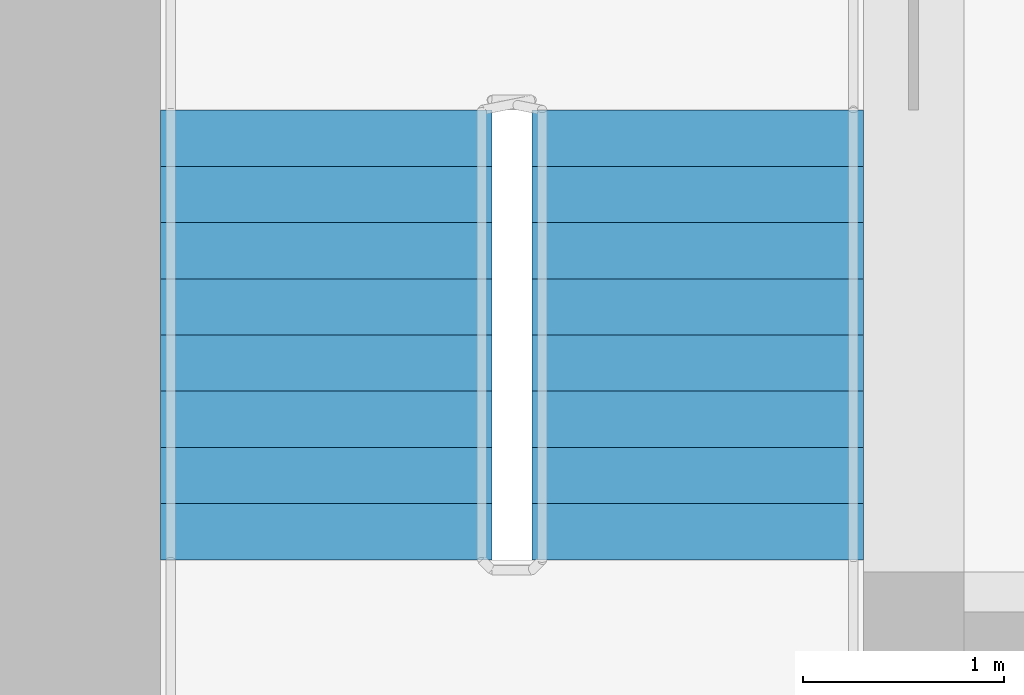
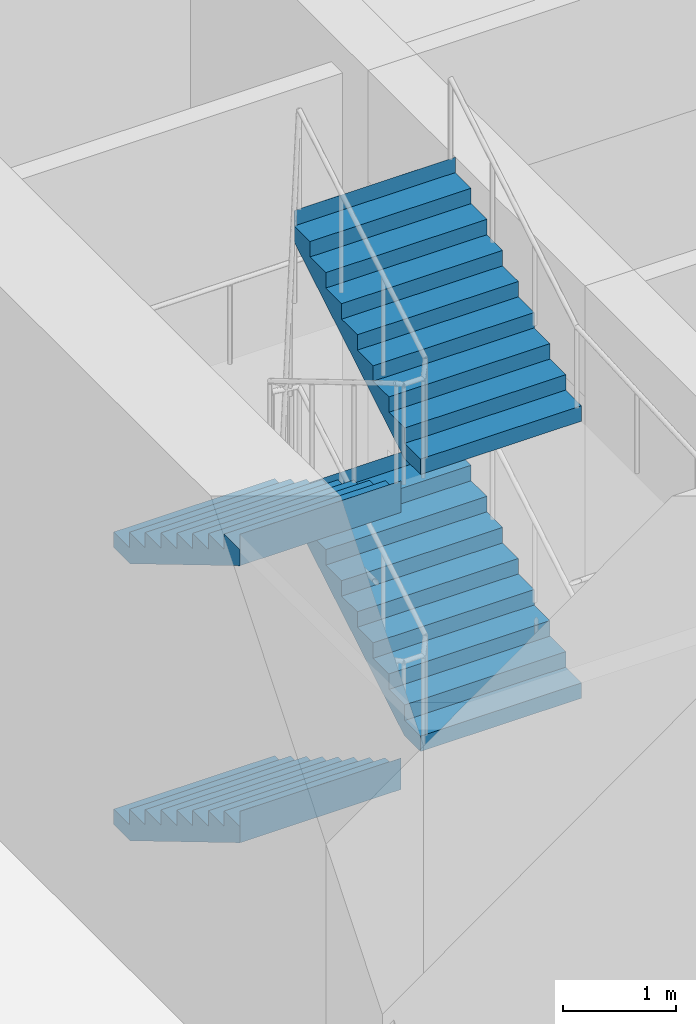
# One storey, part 19 of 45: 4 stair flights, 1 element without a shape of its own.
"""IFC4 building model written with IfcOpenShell, lengths in metres."""

from ifc_helpers import new_model, si_unit, direction, frame, origin, place, context, subcontext, project, spatial, polyline, outline, extrude, material, type_object, element, aggregate, save


model = new_model("IFC4")

# Units and contexts
model_context = context("Model", 3, precision=1e-05, world=origin(), true_north=direction((0.0, 1.0)))
body_context = subcontext(model_context, "Body", "Model", "MODEL_VIEW")
ifc_project = project(units=[si_unit("LENGTHUNIT", "METRE"), si_unit("AREAUNIT", "SQUARE_METRE"), si_unit("VOLUMEUNIT", "CUBIC_METRE"), si_unit("PLANEANGLEUNIT", "RADIAN"), si_unit("MASSUNIT", "GRAM", prefix="KILO")], contexts=[model_context])

# Site, building, storey
site_placement = place(None, origin())
site = spatial("IfcSite", under=ifc_project, at=site_placement, CompositionType="ELEMENT")
building_placement = place(site_placement, origin())
building = spatial("IfcBuilding", under=site, at=building_placement, Name="Tamorin Gate", CompositionType="ELEMENT")
storey_placement = place(building_placement, frame((0.0, 0.0, -6.0)))
storey = spatial("IfcBuildingStorey", under=building, at=storey_placement, Name="B1", CompositionType="ELEMENT", Elevation=-6.0)

# Stair, stair flights
ifc_material = material(Name="Concrete C40/50", Category="concrete")
stair_type = type_object("IfcStairType", Name="Exit stair", PredefinedType="HALF_TURN_STAIR", material=ifc_material)
stair_placement = place(storey_placement, origin())
stair = element("IfcStair", 1, at=stair_placement, inside=storey, type_object=stair_type, Name="B1 stair ST1", PredefinedType="HALF_TURN_STAIR")
stair_flight_type = type_object("IfcStairFlightType", Name="Exit stair flight", PredefinedType="STRAIGHT", material=ifc_material)
stair_flight_1_placement = place(storey_placement, frame((31.824951171875, 66.5, 0.0), z_axis=(0.0, 0.0, 1.0), x_axis=(0.0, -1.0, 0.0)))
stair_flight_1 = element("IfcStairFlight", 2, at=stair_flight_1_placement, type_object=stair_flight_type, Name="ST1 flight 1", NumberOfRisers=9, NumberOfTreads=8, PredefinedType="STRAIGHT", RiserHeight=0.166666667, TreadLength=0.28, context=body_context, shape_type="SweptSolid", body=[
    extrude(outline(polyline([(-0.00048828125, 0.0), (-0.00048828125, 0.001708984375), (-0.00048828125, 0.00341796875), (-0.00048828125, 0.0048828125), (-0.00048828125, 0.006591796875), (-0.00048828125, 0.00830078125), (-0.00048828125, 0.010009765625), (-0.00048828125, 0.011474609375), (-0.00048828125, 0.01318359375), (-0.00048828125, 0.014892578125), (-0.00048828125, 0.0166015625), (-0.00048828125, 0.01806640625), (-0.00048828125, 0.019775390625), (-0.00048828125, 0.021484375), (-0.00048828125, 0.023193359375), (-0.00048828125, 0.024658203125), (-0.00048828125, 0.0263671875), (-0.00048828125, 0.028076171875), (-0.00048828125, 0.02978515625), (-0.00048828125, 0.03125), (-0.00048828125, 0.032958984375), (-0.00048828125, 0.03466796875), (-0.00048828125, 0.036376953125), (-0.00048828125, 0.037841796875), (-0.00048828125, 0.03955078125), (-0.00048828125, 0.041259765625), (-0.00048828125, 0.04296875), (-0.00048828125, 0.04443359375), (-0.00048828125, 0.046142578125), (-0.00048828125, 0.0478515625), (-0.00048828125, 0.049560546875), (-0.00048828125, 0.05126953125), (-0.00048828125, 0.052734375), (-0.00048828125, 0.054443359375), (-0.00048828125, 0.05615234375), (-0.00048828125, 0.057861328125), (-0.00048828125, 0.059326171875), (-0.00048828125, 0.06103515625), (-0.00048828125, 0.062744140625), (-0.00048828125, 0.064453125), (-0.00048828125, 0.06591796875), (-0.00048828125, 0.067626953125), (-0.00048828125, 0.0693359375), (-0.00048828125, 0.071044921875), (-0.00048828125, 0.072509765625), (-0.00048828125, 0.07421875), (-0.00048828125, 0.075927734375), (-0.00048828125, 0.07763671875), (-0.00048828125, 0.0791015625), (-0.00048828125, 0.080810546875), (-0.00048828125, 0.08251953125), (-0.00048828125, 0.084228515625), (-0.00048828125, 0.085693359375), (-0.00048828125, 0.08740234375), (-0.00048828125, 0.089111328125), (-0.00048828125, 0.0908203125), (-0.00048828125, 0.092529296875), (-0.00048828125, 0.093994140625), (-0.00048828125, 0.095703125), (-0.00048828125, 0.097412109375), (-0.00048828125, 0.09912109375), (-0.00048828125, 0.1005859375), (-0.00048828125, 0.102294921875), (-0.00048828125, 0.10400390625), (-0.00048828125, 0.105712890625), (-0.00048828125, 0.107177734375), (-0.00048828125, 0.10888671875), (-0.00048828125, 0.110595703125), (-0.00048828125, 0.1123046875), (-0.00048828125, 0.11376953125), (-0.00048828125, 0.115478515625), (-0.00048828125, 0.1171875), (-0.00048828125, 0.118896484375), (-0.00048828125, 0.120361328125), (-0.00048828125, 0.1220703125), (-0.00048828125, 0.123779296875), (-0.00048828125, 0.12548828125), (-0.00048828125, 0.126953125), (-0.00048828125, 0.128662109375), (-0.00048828125, 0.13037109375), (-0.00048828125, 0.132080078125), (-0.00048828125, 0.133544921875), (-0.00048828125, 0.13525390625), (-0.00048828125, 0.136962890625), (-0.00048828125, 0.138671875), (-0.00048828125, 0.140380859375), (-0.00048828125, 0.141845703125), (-0.00048828125, 0.1435546875), (-0.00048828125, 0.145263671875), (-0.00048828125, 0.14697265625), (-0.00048828125, 0.1484375), (-0.00048828125, 0.150146484375), (-0.00048828125, 0.15185546875), (-0.00048828125, 0.153564453125), (-0.00048828125, 0.155029296875), (-0.00048828125, 0.15673828125), (-0.00048828125, 0.158447265625), (-0.00048828125, 0.16015625), (-0.00048828125, 0.16162109375), (-0.00048828125, 0.163330078125), (-0.00048828125, 0.1650390625), (-0.00048828125, 0.166748046875), (0.280029296875, 0.166748046875), (0.280029296875, 0.333251953125), (0.56005859375, 0.333251953125), (0.56005859375, 0.5), (0.840087890625, 0.5), (0.840087890625, 0.666748046875), (1.1201171875, 0.666748046875), (1.1201171875, 0.833251953125), (1.39990234375, 0.833251953125), (1.39990234375, 1.0), (1.679931640625, 1.0), (1.679931640625, 1.166748046875), (1.9599609375, 1.166748046875), (1.9599609375, 1.333251953125), (2.239990234375, 1.333251953125), (2.239990234375, 1.5), (2.240478515625, 1.5), (2.240478515625, 1.49658203125), (2.240478515625, 1.4931640625), (2.240478515625, 1.48974609375), (2.240478515625, 1.486572265625), (2.240478515625, 1.483154296875), (2.240478515625, 1.479736328125), (2.240478515625, 1.476318359375), (2.240478515625, 1.472900390625), (2.240478515625, 1.469482421875), (2.240478515625, 1.46630859375), (2.240478515625, 1.462890625), (2.240478515625, 1.45947265625), (2.240478515625, 1.4560546875), (2.240478515625, 1.45263671875), (2.240478515625, 1.44921875), (2.240478515625, 1.446044921875), (2.240478515625, 1.442626953125), (2.240478515625, 1.439208984375), (2.240478515625, 1.435791015625), (2.240478515625, 1.432373046875), (2.240478515625, 1.428955078125), (2.240478515625, 1.42578125), (2.240478515625, 1.42236328125), (2.240478515625, 1.4189453125), (2.240478515625, 1.41552734375), (2.240478515625, 1.412109375), (2.240478515625, 1.40869140625), (2.240478515625, 1.405517578125), (2.240478515625, 1.402099609375), (2.240478515625, 1.398681640625), (2.240478515625, 1.395263671875), (2.240478515625, 1.391845703125), (2.240478515625, 1.388427734375), (2.240478515625, 1.38525390625), (2.240478515625, 1.3818359375), (2.240478515625, 1.37841796875), (2.240478515625, 1.375), (2.240478515625, 1.37158203125), (2.240478515625, 1.3681640625), (2.240478515625, 1.364990234375), (2.240478515625, 1.361572265625), (2.240478515625, 1.358154296875), (2.240478515625, 1.354736328125), (2.240478515625, 1.351318359375), (2.240478515625, 1.347900390625), (2.240478515625, 1.3447265625), (2.240478515625, 1.34130859375), (2.240478515625, 1.337890625), (2.240478515625, 1.33447265625), (2.240478515625, 1.3310546875), (2.240478515625, 1.32763671875), (2.240478515625, 1.324462890625), (2.240478515625, 1.321044921875), (2.240478515625, 1.317626953125), (2.240478515625, 1.314208984375), (2.240478515625, 1.310791015625), (2.240478515625, 1.307373046875), (2.240478515625, 1.30419921875), (2.240478515625, 1.30078125), (2.240478515625, 1.29736328125), (2.240478515625, 1.2939453125), (2.240478515625, 1.29052734375), (2.240478515625, 1.287109375), (2.240478515625, 1.283935546875), (2.240478515625, 1.280517578125), (2.240478515625, 1.277099609375), (2.240478515625, 1.273681640625), (2.240478515625, 1.270263671875), (2.240478515625, 1.266845703125), (2.240478515625, 1.263671875), (2.240478515625, 1.26025390625), (2.240478515625, 1.2568359375), (2.240478515625, 1.25341796875), (2.240478515625, 1.25), (2.240478515625, 1.24658203125), (2.240478515625, 1.243408203125), (2.240478515625, 1.239990234375), (2.240478515625, 1.236572265625), (2.240478515625, 1.233154296875), (2.240478515625, 1.229736328125), (2.240478515625, 1.226318359375), (2.240478515625, 1.22314453125), (2.240478515625, 1.2197265625), (2.240478515625, 1.21630859375), (2.240478515625, 1.212890625), (2.240478515625, 1.20947265625), (2.240478515625, 1.2060546875), (2.240478515625, 1.202880859375), (2.240478515625, 1.199462890625), (2.240478515625, 1.196044921875), (2.240478515625, 1.192626953125), (2.240478515625, 1.189208984375), (2.240478515625, 1.185791015625), (2.240478515625, 1.1826171875), (2.240478515625, 1.17919921875), (2.240478515625, 1.17578125), (2.240478515625, 1.17236328125), (2.240478515625, 1.1689453125), (2.240478515625, 1.16552734375), (2.240478515625, 1.162353515625), (2.240478515625, 1.158935546875), (2.239990234375, 1.158935546875), (0.29296875, 0.0), (-0.00048828125, 0.0)])), frame((0.0, 0.824951171875, 0.0), z_axis=(0.0, -1.0, 0.0), x_axis=(1.0, 0.0, 0.0)), (0.0, 0.0, 1.0), 1.64990234375),
])
stair_flight_2_placement = place(storey_placement, frame((33.675048828125, 64.260009765625, 1.5), z_axis=(0.0, 0.0, 1.0), x_axis=(0.0, 1.0, 0.0)))
stair_flight_2 = element("IfcStairFlight", 3, at=stair_flight_2_placement, type_object=stair_flight_type, Name="ST1 flight 2", NumberOfRisers=9, NumberOfTreads=8, PredefinedType="STRAIGHT", RiserHeight=0.166666667, TreadLength=0.28, context=body_context, shape_type="SweptSolid", body=[
    extrude(outline(polyline([(-0.00048828125, 0.0), (-0.00048828125, 0.001708984375), (-0.00048828125, 0.00341796875), (-0.00048828125, 0.0048828125), (-0.00048828125, 0.006591796875), (-0.00048828125, 0.00830078125), (-0.00048828125, 0.010009765625), (-0.00048828125, 0.011474609375), (-0.00048828125, 0.01318359375), (-0.00048828125, 0.014892578125), (-0.00048828125, 0.0166015625), (-0.00048828125, 0.01806640625), (-0.00048828125, 0.019775390625), (-0.00048828125, 0.021484375), (-0.00048828125, 0.023193359375), (-0.00048828125, 0.024658203125), (-0.00048828125, 0.0263671875), (-0.00048828125, 0.028076171875), (-0.00048828125, 0.02978515625), (-0.00048828125, 0.03125), (-0.00048828125, 0.032958984375), (-0.00048828125, 0.03466796875), (-0.00048828125, 0.036376953125), (-0.00048828125, 0.037841796875), (-0.00048828125, 0.03955078125), (-0.00048828125, 0.041259765625), (-0.00048828125, 0.04296875), (-0.00048828125, 0.04443359375), (-0.00048828125, 0.046142578125), (-0.00048828125, 0.0478515625), (-0.00048828125, 0.049560546875), (-0.00048828125, 0.05126953125), (-0.00048828125, 0.052734375), (-0.00048828125, 0.054443359375), (-0.00048828125, 0.05615234375), (-0.00048828125, 0.057861328125), (-0.00048828125, 0.059326171875), (-0.00048828125, 0.06103515625), (-0.00048828125, 0.062744140625), (-0.00048828125, 0.064453125), (-0.00048828125, 0.06591796875), (-0.00048828125, 0.067626953125), (-0.00048828125, 0.0693359375), (-0.00048828125, 0.071044921875), (-0.00048828125, 0.072509765625), (-0.00048828125, 0.07421875), (-0.00048828125, 0.075927734375), (-0.00048828125, 0.07763671875), (-0.00048828125, 0.0791015625), (-0.00048828125, 0.080810546875), (-0.00048828125, 0.08251953125), (-0.00048828125, 0.084228515625), (-0.00048828125, 0.085693359375), (-0.00048828125, 0.08740234375), (-0.00048828125, 0.089111328125), (-0.00048828125, 0.0908203125), (-0.00048828125, 0.092529296875), (-0.00048828125, 0.093994140625), (-0.00048828125, 0.095703125), (-0.00048828125, 0.097412109375), (-0.00048828125, 0.09912109375), (-0.00048828125, 0.1005859375), (-0.00048828125, 0.102294921875), (-0.00048828125, 0.10400390625), (-0.00048828125, 0.105712890625), (-0.00048828125, 0.107177734375), (-0.00048828125, 0.10888671875), (-0.00048828125, 0.110595703125), (-0.00048828125, 0.1123046875), (-0.00048828125, 0.11376953125), (-0.00048828125, 0.115478515625), (-0.00048828125, 0.1171875), (-0.00048828125, 0.118896484375), (-0.00048828125, 0.120361328125), (-0.00048828125, 0.1220703125), (-0.00048828125, 0.123779296875), (-0.00048828125, 0.12548828125), (-0.00048828125, 0.126953125), (-0.00048828125, 0.128662109375), (-0.00048828125, 0.13037109375), (-0.00048828125, 0.132080078125), (-0.00048828125, 0.133544921875), (-0.00048828125, 0.13525390625), (-0.00048828125, 0.136962890625), (-0.00048828125, 0.138671875), (-0.00048828125, 0.140380859375), (-0.00048828125, 0.141845703125), (-0.00048828125, 0.1435546875), (-0.00048828125, 0.145263671875), (-0.00048828125, 0.14697265625), (-0.00048828125, 0.1484375), (-0.00048828125, 0.150146484375), (-0.00048828125, 0.15185546875), (-0.00048828125, 0.153564453125), (-0.00048828125, 0.155029296875), (-0.00048828125, 0.15673828125), (-0.00048828125, 0.158447265625), (-0.00048828125, 0.16015625), (-0.00048828125, 0.16162109375), (-0.00048828125, 0.163330078125), (-0.00048828125, 0.1650390625), (-0.00048828125, 0.166748046875), (0.280029296875, 0.166748046875), (0.280029296875, 0.333251953125), (0.56005859375, 0.333251953125), (0.56005859375, 0.5), (0.840087890625, 0.5), (0.840087890625, 0.666748046875), (1.1201171875, 0.666748046875), (1.1201171875, 0.833251953125), (1.39990234375, 0.833251953125), (1.39990234375, 1.0), (1.679931640625, 1.0), (1.679931640625, 1.166748046875), (1.9599609375, 1.166748046875), (1.9599609375, 1.333251953125), (2.239990234375, 1.333251953125), (2.239990234375, 1.5), (2.240478515625, 1.5), (2.240478515625, 1.49658203125), (2.240478515625, 1.4931640625), (2.240478515625, 1.48974609375), (2.240478515625, 1.486572265625), (2.240478515625, 1.483154296875), (2.240478515625, 1.479736328125), (2.240478515625, 1.476318359375), (2.240478515625, 1.472900390625), (2.240478515625, 1.469482421875), (2.240478515625, 1.46630859375), (2.240478515625, 1.462890625), (2.240478515625, 1.45947265625), (2.240478515625, 1.4560546875), (2.240478515625, 1.45263671875), (2.240478515625, 1.44921875), (2.240478515625, 1.446044921875), (2.240478515625, 1.442626953125), (2.240478515625, 1.439208984375), (2.240478515625, 1.435791015625), (2.240478515625, 1.432373046875), (2.240478515625, 1.428955078125), (2.240478515625, 1.42578125), (2.240478515625, 1.42236328125), (2.240478515625, 1.4189453125), (2.240478515625, 1.41552734375), (2.240478515625, 1.412109375), (2.240478515625, 1.40869140625), (2.240478515625, 1.405517578125), (2.240478515625, 1.402099609375), (2.240478515625, 1.398681640625), (2.240478515625, 1.395263671875), (2.240478515625, 1.391845703125), (2.240478515625, 1.388427734375), (2.240478515625, 1.38525390625), (2.240478515625, 1.3818359375), (2.240478515625, 1.37841796875), (2.240478515625, 1.375), (2.240478515625, 1.37158203125), (2.240478515625, 1.3681640625), (2.240478515625, 1.364990234375), (2.240478515625, 1.361572265625), (2.240478515625, 1.358154296875), (2.240478515625, 1.354736328125), (2.240478515625, 1.351318359375), (2.240478515625, 1.347900390625), (2.240478515625, 1.3447265625), (2.240478515625, 1.34130859375), (2.240478515625, 1.337890625), (2.240478515625, 1.33447265625), (2.240478515625, 1.3310546875), (2.240478515625, 1.32763671875), (2.240478515625, 1.324462890625), (2.240478515625, 1.321044921875), (2.240478515625, 1.317626953125), (2.240478515625, 1.314208984375), (2.240478515625, 1.310791015625), (2.240478515625, 1.307373046875), (2.240478515625, 1.30419921875), (2.240478515625, 1.30078125), (2.240478515625, 1.29736328125), (2.240478515625, 1.2939453125), (2.240478515625, 1.29052734375), (2.240478515625, 1.287109375), (2.240478515625, 1.283935546875), (2.240478515625, 1.280517578125), (2.240478515625, 1.277099609375), (2.240478515625, 1.273681640625), (2.240478515625, 1.270263671875), (2.240478515625, 1.266845703125), (2.240478515625, 1.263671875), (2.240478515625, 1.26025390625), (2.240478515625, 1.2568359375), (2.240478515625, 1.25341796875), (2.240478515625, 1.25), (2.240478515625, 1.24658203125), (2.240478515625, 1.243408203125), (2.240478515625, 1.239990234375), (2.240478515625, 1.236572265625), (2.240478515625, 1.233154296875), (2.240478515625, 1.229736328125), (2.240478515625, 1.226318359375), (2.240478515625, 1.22314453125), (2.240478515625, 1.2197265625), (2.240478515625, 1.21630859375), (2.240478515625, 1.212890625), (2.240478515625, 1.20947265625), (2.240478515625, 1.2060546875), (2.240478515625, 1.202880859375), (2.240478515625, 1.199462890625), (2.240478515625, 1.196044921875), (2.240478515625, 1.192626953125), (2.240478515625, 1.189208984375), (2.240478515625, 1.185791015625), (2.240478515625, 1.1826171875), (2.240478515625, 1.17919921875), (2.240478515625, 1.17578125), (2.240478515625, 1.17236328125), (2.240478515625, 1.1689453125), (2.240478515625, 1.16552734375), (2.240478515625, 1.162353515625), (2.240478515625, 1.158935546875), (2.239990234375, 1.158935546875), (0.29296875, 0.0), (-0.00048828125, 0.0)])), frame((0.0, 0.824951171875, 0.0), z_axis=(0.0, -1.0, 0.0), x_axis=(1.0, 0.0, 0.0)), (0.0, 0.0, 1.0), 1.64990234375),
])
stair_flight_3_placement = place(storey_placement, frame((31.824951171875, 66.5, 3.0), z_axis=(0.0, 0.0, 1.0), x_axis=(0.0, -1.0, 0.0)))
stair_flight_3 = element("IfcStairFlight", 4, at=stair_flight_3_placement, type_object=stair_flight_type, Name="ST1 flight 3", NumberOfRisers=9, NumberOfTreads=8, PredefinedType="STRAIGHT", RiserHeight=0.166666667, TreadLength=0.28, context=body_context, shape_type="SweptSolid", body=[
    extrude(outline(polyline([(-0.00048828125, 0.0), (-0.00048828125, 0.001708984375), (-0.00048828125, 0.00341796875), (-0.00048828125, 0.0048828125), (-0.00048828125, 0.006591796875), (-0.00048828125, 0.00830078125), (-0.00048828125, 0.010009765625), (-0.00048828125, 0.011474609375), (-0.00048828125, 0.01318359375), (-0.00048828125, 0.014892578125), (-0.00048828125, 0.0166015625), (-0.00048828125, 0.01806640625), (-0.00048828125, 0.019775390625), (-0.00048828125, 0.021484375), (-0.00048828125, 0.023193359375), (-0.00048828125, 0.024658203125), (-0.00048828125, 0.0263671875), (-0.00048828125, 0.028076171875), (-0.00048828125, 0.02978515625), (-0.00048828125, 0.03125), (-0.00048828125, 0.032958984375), (-0.00048828125, 0.03466796875), (-0.00048828125, 0.036376953125), (-0.00048828125, 0.037841796875), (-0.00048828125, 0.03955078125), (-0.00048828125, 0.041259765625), (-0.00048828125, 0.04296875), (-0.00048828125, 0.04443359375), (-0.00048828125, 0.046142578125), (-0.00048828125, 0.0478515625), (-0.00048828125, 0.049560546875), (-0.00048828125, 0.05126953125), (-0.00048828125, 0.052734375), (-0.00048828125, 0.054443359375), (-0.00048828125, 0.05615234375), (-0.00048828125, 0.057861328125), (-0.00048828125, 0.059326171875), (-0.00048828125, 0.06103515625), (-0.00048828125, 0.062744140625), (-0.00048828125, 0.064453125), (-0.00048828125, 0.06591796875), (-0.00048828125, 0.067626953125), (-0.00048828125, 0.0693359375), (-0.00048828125, 0.071044921875), (-0.00048828125, 0.072509765625), (-0.00048828125, 0.07421875), (-0.00048828125, 0.075927734375), (-0.00048828125, 0.07763671875), (-0.00048828125, 0.0791015625), (-0.00048828125, 0.080810546875), (-0.00048828125, 0.08251953125), (-0.00048828125, 0.084228515625), (-0.00048828125, 0.085693359375), (-0.00048828125, 0.08740234375), (-0.00048828125, 0.089111328125), (-0.00048828125, 0.0908203125), (-0.00048828125, 0.092529296875), (-0.00048828125, 0.093994140625), (-0.00048828125, 0.095703125), (-0.00048828125, 0.097412109375), (-0.00048828125, 0.09912109375), (-0.00048828125, 0.1005859375), (-0.00048828125, 0.102294921875), (-0.00048828125, 0.10400390625), (-0.00048828125, 0.105712890625), (-0.00048828125, 0.107177734375), (-0.00048828125, 0.10888671875), (-0.00048828125, 0.110595703125), (-0.00048828125, 0.1123046875), (-0.00048828125, 0.11376953125), (-0.00048828125, 0.115478515625), (-0.00048828125, 0.1171875), (-0.00048828125, 0.118896484375), (-0.00048828125, 0.120361328125), (-0.00048828125, 0.1220703125), (-0.00048828125, 0.123779296875), (-0.00048828125, 0.12548828125), (-0.00048828125, 0.126953125), (-0.00048828125, 0.128662109375), (-0.00048828125, 0.13037109375), (-0.00048828125, 0.132080078125), (-0.00048828125, 0.133544921875), (-0.00048828125, 0.13525390625), (-0.00048828125, 0.136962890625), (-0.00048828125, 0.138671875), (-0.00048828125, 0.140380859375), (-0.00048828125, 0.141845703125), (-0.00048828125, 0.1435546875), (-0.00048828125, 0.145263671875), (-0.00048828125, 0.14697265625), (-0.00048828125, 0.1484375), (-0.00048828125, 0.150146484375), (-0.00048828125, 0.15185546875), (-0.00048828125, 0.153564453125), (-0.00048828125, 0.155029296875), (-0.00048828125, 0.15673828125), (-0.00048828125, 0.158447265625), (-0.00048828125, 0.16015625), (-0.00048828125, 0.16162109375), (-0.00048828125, 0.163330078125), (-0.00048828125, 0.1650390625), (-0.00048828125, 0.166748046875), (0.280029296875, 0.166748046875), (0.280029296875, 0.333251953125), (0.56005859375, 0.333251953125), (0.56005859375, 0.5), (0.840087890625, 0.5), (0.840087890625, 0.666748046875), (1.1201171875, 0.666748046875), (1.1201171875, 0.833251953125), (1.39990234375, 0.833251953125), (1.39990234375, 1.0), (1.679931640625, 1.0), (1.679931640625, 1.166748046875), (1.9599609375, 1.166748046875), (1.9599609375, 1.333251953125), (2.239990234375, 1.333251953125), (2.239990234375, 1.5), (2.240478515625, 1.5), (2.240478515625, 1.49658203125), (2.240478515625, 1.4931640625), (2.240478515625, 1.48974609375), (2.240478515625, 1.486572265625), (2.240478515625, 1.483154296875), (2.240478515625, 1.479736328125), (2.240478515625, 1.476318359375), (2.240478515625, 1.472900390625), (2.240478515625, 1.469482421875), (2.240478515625, 1.46630859375), (2.240478515625, 1.462890625), (2.240478515625, 1.45947265625), (2.240478515625, 1.4560546875), (2.240478515625, 1.45263671875), (2.240478515625, 1.44921875), (2.240478515625, 1.446044921875), (2.240478515625, 1.442626953125), (2.240478515625, 1.439208984375), (2.240478515625, 1.435791015625), (2.240478515625, 1.432373046875), (2.240478515625, 1.428955078125), (2.240478515625, 1.42578125), (2.240478515625, 1.42236328125), (2.240478515625, 1.4189453125), (2.240478515625, 1.41552734375), (2.240478515625, 1.412109375), (2.240478515625, 1.40869140625), (2.240478515625, 1.405517578125), (2.240478515625, 1.402099609375), (2.240478515625, 1.398681640625), (2.240478515625, 1.395263671875), (2.240478515625, 1.391845703125), (2.240478515625, 1.388427734375), (2.240478515625, 1.38525390625), (2.240478515625, 1.3818359375), (2.240478515625, 1.37841796875), (2.240478515625, 1.375), (2.240478515625, 1.37158203125), (2.240478515625, 1.3681640625), (2.240478515625, 1.364990234375), (2.240478515625, 1.361572265625), (2.240478515625, 1.358154296875), (2.240478515625, 1.354736328125), (2.240478515625, 1.351318359375), (2.240478515625, 1.347900390625), (2.240478515625, 1.3447265625), (2.240478515625, 1.34130859375), (2.240478515625, 1.337890625), (2.240478515625, 1.33447265625), (2.240478515625, 1.3310546875), (2.240478515625, 1.32763671875), (2.240478515625, 1.324462890625), (2.240478515625, 1.321044921875), (2.240478515625, 1.317626953125), (2.240478515625, 1.314208984375), (2.240478515625, 1.310791015625), (2.240478515625, 1.307373046875), (2.240478515625, 1.30419921875), (2.240478515625, 1.30078125), (2.240478515625, 1.29736328125), (2.240478515625, 1.2939453125), (2.240478515625, 1.29052734375), (2.240478515625, 1.287109375), (2.240478515625, 1.283935546875), (2.240478515625, 1.280517578125), (2.240478515625, 1.277099609375), (2.240478515625, 1.273681640625), (2.240478515625, 1.270263671875), (2.240478515625, 1.266845703125), (2.240478515625, 1.263671875), (2.240478515625, 1.26025390625), (2.240478515625, 1.2568359375), (2.240478515625, 1.25341796875), (2.240478515625, 1.25), (2.240478515625, 1.24658203125), (2.240478515625, 1.243408203125), (2.240478515625, 1.239990234375), (2.240478515625, 1.236572265625), (2.240478515625, 1.233154296875), (2.240478515625, 1.229736328125), (2.240478515625, 1.226318359375), (2.240478515625, 1.22314453125), (2.240478515625, 1.2197265625), (2.240478515625, 1.21630859375), (2.240478515625, 1.212890625), (2.240478515625, 1.20947265625), (2.240478515625, 1.2060546875), (2.240478515625, 1.202880859375), (2.240478515625, 1.199462890625), (2.240478515625, 1.196044921875), (2.240478515625, 1.192626953125), (2.240478515625, 1.189208984375), (2.240478515625, 1.185791015625), (2.240478515625, 1.1826171875), (2.240478515625, 1.17919921875), (2.240478515625, 1.17578125), (2.240478515625, 1.17236328125), (2.240478515625, 1.1689453125), (2.240478515625, 1.16552734375), (2.240478515625, 1.162353515625), (2.240478515625, 1.158935546875), (2.239990234375, 1.158935546875), (0.29296875, 0.0), (-0.00048828125, 0.0)])), frame((0.0, 0.824951171875, 0.0), z_axis=(0.0, -1.0, 0.0), x_axis=(1.0, 0.0, 0.0)), (0.0, 0.0, 1.0), 1.64990234375),
])
stair_flight_4_placement = place(storey_placement, frame((33.675048828125, 64.260009765625, 4.5), z_axis=(0.0, 0.0, 1.0), x_axis=(0.0, 1.0, 0.0)))
stair_flight_4 = element("IfcStairFlight", 5, at=stair_flight_4_placement, type_object=stair_flight_type, Name="ST1 flight 4", NumberOfRisers=9, NumberOfTreads=8, PredefinedType="STRAIGHT", RiserHeight=0.166666667, TreadLength=0.28, context=body_context, shape_type="SweptSolid", body=[
    extrude(outline(polyline([(-0.00048828125, 0.0), (-0.00048828125, 0.001708984375), (-0.00048828125, 0.00341796875), (-0.00048828125, 0.0048828125), (-0.00048828125, 0.006591796875), (-0.00048828125, 0.00830078125), (-0.00048828125, 0.010009765625), (-0.00048828125, 0.011474609375), (-0.00048828125, 0.01318359375), (-0.00048828125, 0.014892578125), (-0.00048828125, 0.0166015625), (-0.00048828125, 0.01806640625), (-0.00048828125, 0.019775390625), (-0.00048828125, 0.021484375), (-0.00048828125, 0.023193359375), (-0.00048828125, 0.024658203125), (-0.00048828125, 0.0263671875), (-0.00048828125, 0.028076171875), (-0.00048828125, 0.02978515625), (-0.00048828125, 0.03125), (-0.00048828125, 0.032958984375), (-0.00048828125, 0.03466796875), (-0.00048828125, 0.036376953125), (-0.00048828125, 0.037841796875), (-0.00048828125, 0.03955078125), (-0.00048828125, 0.041259765625), (-0.00048828125, 0.04296875), (-0.00048828125, 0.04443359375), (-0.00048828125, 0.046142578125), (-0.00048828125, 0.0478515625), (-0.00048828125, 0.049560546875), (-0.00048828125, 0.05126953125), (-0.00048828125, 0.052734375), (-0.00048828125, 0.054443359375), (-0.00048828125, 0.05615234375), (-0.00048828125, 0.057861328125), (-0.00048828125, 0.059326171875), (-0.00048828125, 0.06103515625), (-0.00048828125, 0.062744140625), (-0.00048828125, 0.064453125), (-0.00048828125, 0.06591796875), (-0.00048828125, 0.067626953125), (-0.00048828125, 0.0693359375), (-0.00048828125, 0.071044921875), (-0.00048828125, 0.072509765625), (-0.00048828125, 0.07421875), (-0.00048828125, 0.075927734375), (-0.00048828125, 0.07763671875), (-0.00048828125, 0.0791015625), (-0.00048828125, 0.080810546875), (-0.00048828125, 0.08251953125), (-0.00048828125, 0.084228515625), (-0.00048828125, 0.085693359375), (-0.00048828125, 0.08740234375), (-0.00048828125, 0.089111328125), (-0.00048828125, 0.0908203125), (-0.00048828125, 0.092529296875), (-0.00048828125, 0.093994140625), (-0.00048828125, 0.095703125), (-0.00048828125, 0.097412109375), (-0.00048828125, 0.09912109375), (-0.00048828125, 0.1005859375), (-0.00048828125, 0.102294921875), (-0.00048828125, 0.10400390625), (-0.00048828125, 0.105712890625), (-0.00048828125, 0.107177734375), (-0.00048828125, 0.10888671875), (-0.00048828125, 0.110595703125), (-0.00048828125, 0.1123046875), (-0.00048828125, 0.11376953125), (-0.00048828125, 0.115478515625), (-0.00048828125, 0.1171875), (-0.00048828125, 0.118896484375), (-0.00048828125, 0.120361328125), (-0.00048828125, 0.1220703125), (-0.00048828125, 0.123779296875), (-0.00048828125, 0.12548828125), (-0.00048828125, 0.126953125), (-0.00048828125, 0.128662109375), (-0.00048828125, 0.13037109375), (-0.00048828125, 0.132080078125), (-0.00048828125, 0.133544921875), (-0.00048828125, 0.13525390625), (-0.00048828125, 0.136962890625), (-0.00048828125, 0.138671875), (-0.00048828125, 0.140380859375), (-0.00048828125, 0.141845703125), (-0.00048828125, 0.1435546875), (-0.00048828125, 0.145263671875), (-0.00048828125, 0.14697265625), (-0.00048828125, 0.1484375), (-0.00048828125, 0.150146484375), (-0.00048828125, 0.15185546875), (-0.00048828125, 0.153564453125), (-0.00048828125, 0.155029296875), (-0.00048828125, 0.15673828125), (-0.00048828125, 0.158447265625), (-0.00048828125, 0.16015625), (-0.00048828125, 0.16162109375), (-0.00048828125, 0.163330078125), (-0.00048828125, 0.1650390625), (-0.00048828125, 0.166748046875), (0.280029296875, 0.166748046875), (0.280029296875, 0.333251953125), (0.56005859375, 0.333251953125), (0.56005859375, 0.5), (0.840087890625, 0.5), (0.840087890625, 0.666748046875), (1.1201171875, 0.666748046875), (1.1201171875, 0.833251953125), (1.39990234375, 0.833251953125), (1.39990234375, 1.0), (1.679931640625, 1.0), (1.679931640625, 1.166748046875), (1.9599609375, 1.166748046875), (1.9599609375, 1.333251953125), (2.239990234375, 1.333251953125), (2.239990234375, 1.5), (2.240478515625, 1.5), (2.240478515625, 1.49658203125), (2.240478515625, 1.4931640625), (2.240478515625, 1.48974609375), (2.240478515625, 1.486572265625), (2.240478515625, 1.483154296875), (2.240478515625, 1.479736328125), (2.240478515625, 1.476318359375), (2.240478515625, 1.472900390625), (2.240478515625, 1.469482421875), (2.240478515625, 1.46630859375), (2.240478515625, 1.462890625), (2.240478515625, 1.45947265625), (2.240478515625, 1.4560546875), (2.240478515625, 1.45263671875), (2.240478515625, 1.44921875), (2.240478515625, 1.446044921875), (2.240478515625, 1.442626953125), (2.240478515625, 1.439208984375), (2.240478515625, 1.435791015625), (2.240478515625, 1.432373046875), (2.240478515625, 1.428955078125), (2.240478515625, 1.42578125), (2.240478515625, 1.42236328125), (2.240478515625, 1.4189453125), (2.240478515625, 1.41552734375), (2.240478515625, 1.412109375), (2.240478515625, 1.40869140625), (2.240478515625, 1.405517578125), (2.240478515625, 1.402099609375), (2.240478515625, 1.398681640625), (2.240478515625, 1.395263671875), (2.240478515625, 1.391845703125), (2.240478515625, 1.388427734375), (2.240478515625, 1.38525390625), (2.240478515625, 1.3818359375), (2.240478515625, 1.37841796875), (2.240478515625, 1.375), (2.240478515625, 1.37158203125), (2.240478515625, 1.3681640625), (2.240478515625, 1.364990234375), (2.240478515625, 1.361572265625), (2.240478515625, 1.358154296875), (2.240478515625, 1.354736328125), (2.240478515625, 1.351318359375), (2.240478515625, 1.347900390625), (2.240478515625, 1.3447265625), (2.240478515625, 1.34130859375), (2.240478515625, 1.337890625), (2.240478515625, 1.33447265625), (2.240478515625, 1.3310546875), (2.240478515625, 1.32763671875), (2.240478515625, 1.324462890625), (2.240478515625, 1.321044921875), (2.240478515625, 1.317626953125), (2.240478515625, 1.314208984375), (2.240478515625, 1.310791015625), (2.240478515625, 1.307373046875), (2.240478515625, 1.30419921875), (2.240478515625, 1.30078125), (2.240478515625, 1.29736328125), (2.240478515625, 1.2939453125), (2.240478515625, 1.29052734375), (2.240478515625, 1.287109375), (2.240478515625, 1.283935546875), (2.240478515625, 1.280517578125), (2.240478515625, 1.277099609375), (2.240478515625, 1.273681640625), (2.240478515625, 1.270263671875), (2.240478515625, 1.266845703125), (2.240478515625, 1.263671875), (2.240478515625, 1.26025390625), (2.240478515625, 1.2568359375), (2.240478515625, 1.25341796875), (2.240478515625, 1.25), (2.240478515625, 1.24658203125), (2.240478515625, 1.243408203125), (2.240478515625, 1.239990234375), (2.240478515625, 1.236572265625), (2.240478515625, 1.233154296875), (2.240478515625, 1.229736328125), (2.240478515625, 1.226318359375), (2.240478515625, 1.22314453125), (2.240478515625, 1.2197265625), (2.240478515625, 1.21630859375), (2.240478515625, 1.212890625), (2.240478515625, 1.20947265625), (2.240478515625, 1.2060546875), (2.240478515625, 1.202880859375), (2.240478515625, 1.199462890625), (2.240478515625, 1.196044921875), (2.240478515625, 1.192626953125), (2.240478515625, 1.189208984375), (2.240478515625, 1.185791015625), (2.240478515625, 1.1826171875), (2.240478515625, 1.17919921875), (2.240478515625, 1.17578125), (2.240478515625, 1.17236328125), (2.240478515625, 1.1689453125), (2.240478515625, 1.16552734375), (2.240478515625, 1.162353515625), (2.240478515625, 1.158935546875), (2.239990234375, 1.158935546875), (0.29296875, 0.0), (-0.00048828125, 0.0)])), frame((0.0, 0.824951171875, 0.0), z_axis=(0.0, -1.0, 0.0), x_axis=(1.0, 0.0, 0.0)), (0.0, 0.0, 1.0), 1.64990234375),
])
aggregate(stair, [stair_flight_1, stair_flight_2, stair_flight_3, stair_flight_4])

save(model, "model.ifc")
